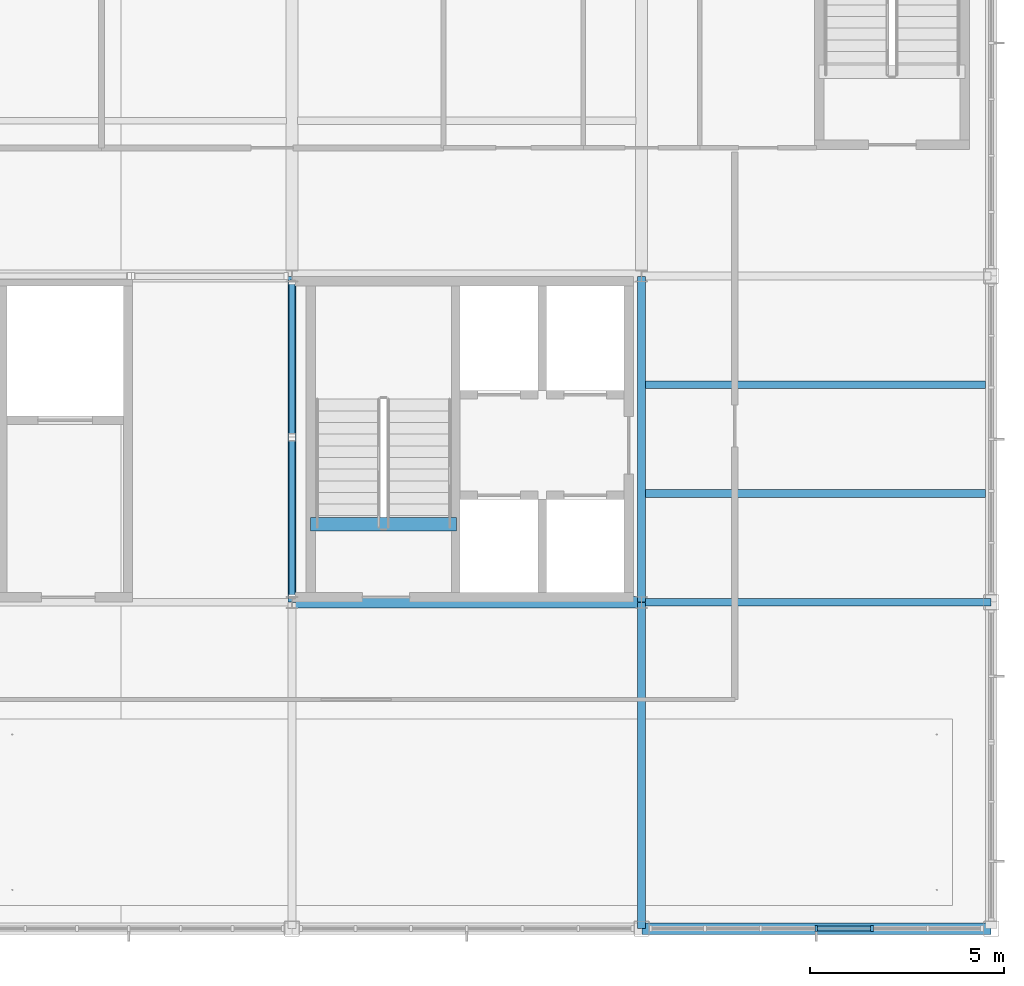
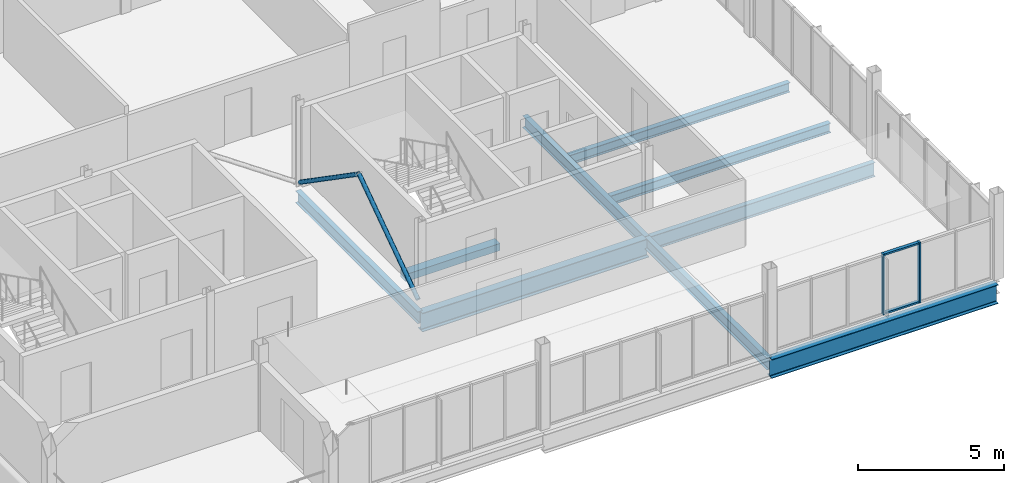
# One storey, part 5 of 17: 9 beams, 6 members, 1 element without a shape of its own.
"""IFC4 building model written with IfcOpenShell, lengths in metres."""

import ifcopenshell
import ifcopenshell.guid

model = None  # the IFC model being written
_history = None  # IfcOwnerHistory: only IFC2X3 demands one
_inside = {}  # id of a spatial element -> (the spatial element, [elements in it])
_under = {}  # id of a project, library or spatial element -> (it, [spatial elements below it])
_declared = {}  # id of a project -> (the project, [libraries it declares])
_typed = {}  # id of a type object -> (the type object, [elements of that type])
_made_of = {}  # id of a material, layer set ... -> (it, [elements and type objects made of it])


def new_model(schema):
    """Start an empty IFC model of exactly this schema.

    Asked for "IFC4X3", IfcOpenShell would pick the latest addendum, in which some entities
    have other attributes; the version numbers below select the first issue.
    IFC2X3 requires an IfcOwnerHistory on every rooted entity: one is made here for all.
    """
    global model, _history
    if schema == "IFC4X3":
        model = ifcopenshell.file(schema_version=(4, 3, 0, 0))
    else:
        model = ifcopenshell.file(schema=schema)
    _inside.clear()
    _under.clear()
    _declared.clear()
    _typed.clear()
    _made_of.clear()
    _history = None
    if model.schema == "IFC2X3":
        org = make("IfcOrganization", Name="unknown")
        user = make(
            "IfcPersonAndOrganization",
            ThePerson=make("IfcPerson", FamilyName="unknown"),
            TheOrganization=org,
        )
        app = make(
            "IfcApplication",
            ApplicationDeveloper=org,
            Version="unknown",
            ApplicationFullName="unknown",
            ApplicationIdentifier="unknown",
        )
        _history = make(
            "IfcOwnerHistory",
            OwningUser=user,
            OwningApplication=app,
            ChangeAction="ADDED",
            CreationDate=0,
        )
    return model


def make(cls, **values):
    """One entity of the class cls with the attributes given. An attribute that is None is left unset."""
    return model.create_entity(
        cls, **{name: value for name, value in values.items() if value is not None}
    )


def rooted(cls, **values):
    """An entity with a GlobalId (a new one), such as an element, a storey or a relation."""
    return make(cls, GlobalId=ifcopenshell.guid.new(), OwnerHistory=_history, **values)


def si_unit(unit_type, name, prefix=None):
    """IfcSIUnit, for example si_unit("LENGTHUNIT", "METRE", prefix="MILLI")."""
    return make("IfcSIUnit", UnitType=unit_type, Prefix=prefix, Name=name)


def assignment(units):
    """IfcUnitAssignment: the units of a project."""
    return None if units is None else make("IfcUnitAssignment", Units=units)


def point(xyz):
    """IfcCartesianPoint."""
    return None if xyz is None else make("IfcCartesianPoint", Coordinates=xyz)


def direction(xyz):
    """IfcDirection."""
    return None if xyz is None else make("IfcDirection", DirectionRatios=xyz)


def frame(location, z_axis=None, x_axis=None):
    """IfcAxis2Placement3D, a coordinate frame: its origin and axes. An axis left out is left unset."""
    return make(
        "IfcAxis2Placement3D",
        Location=point(location),
        Axis=direction(z_axis),
        RefDirection=direction(x_axis),
    )


def frame_2d(location, x_axis=None):
    """IfcAxis2Placement2D, a coordinate frame in the plane: its origin and x axis."""
    return make(
        "IfcAxis2Placement2D", Location=point(location), RefDirection=direction(x_axis)
    )


def origin():
    """The frame at (0, 0, 0) with its axes left unset."""
    return frame((0.0, 0.0, 0.0))


def origin_2d():
    """The frame at (0, 0) in the plane with its x axis left unset."""
    return frame_2d((0.0, 0.0))


def place(relative_to, where):
    """IfcLocalPlacement: puts the frame where relative to a parent placement (None: the world)."""
    return make(
        "IfcLocalPlacement", PlacementRelTo=relative_to, RelativePlacement=where
    )


def context(
    kind, dimensions, precision=None, world=None, true_north=None, identifier=None
):
    """IfcGeometricRepresentationContext, for example the 3D "Model" context."""
    return make(
        "IfcGeometricRepresentationContext",
        ContextIdentifier=identifier,
        ContextType=kind,
        CoordinateSpaceDimension=dimensions,
        Precision=precision,
        WorldCoordinateSystem=world,
        TrueNorth=true_north,
    )


def subcontext(parent, identifier, kind, view, scale=None):
    """IfcGeometricRepresentationSubContext, for example "Body" below "Model"."""
    return make(
        "IfcGeometricRepresentationSubContext",
        ContextIdentifier=identifier,
        ContextType=kind,
        ParentContext=parent,
        TargetScale=scale,
        TargetView=view,
    )


def project(units=None, contexts=None):
    """IfcProject with its units and contexts."""
    return rooted(
        "IfcProject",
        Name="project",
        RepresentationContexts=contexts,
        UnitsInContext=assignment(units),
    )


def spatial(cls, under=None, at=None, **own):
    """A site, building, storey or space (cls), placed at a placement, below another one or the project."""
    s = rooted(cls, ObjectPlacement=at, **own)
    if under is not None:
        _under.setdefault(under.id(), (under, []))[1].append(s)
    return s


def profile(cls, at=None, kind="AREA", **sizes):
    """A parametric profile (cls). Its sizes go by their IFC names, for example OverallWidth=200.0."""
    return make(cls, ProfileType=kind, Position=at, **sizes)


def rectangle(**sizes):
    """IfcRectangleProfileDef."""
    return profile("IfcRectangleProfileDef", **sizes)


def hollow_circle(**sizes):
    """IfcCircleHollowProfileDef."""
    return profile("IfcCircleHollowProfileDef", **sizes)


def i_section(**sizes):
    """IfcIShapeProfileDef."""
    return profile("IfcIShapeProfileDef", **sizes)


def extrude(swept, where, along, depth):
    """IfcExtrudedAreaSolid: the profile swept, set in the frame where, extruded along a direction by depth."""
    return make(
        "IfcExtrudedAreaSolid",
        SweptArea=swept,
        Position=where,
        ExtrudedDirection=direction(along),
        Depth=depth,
    )


def shape(context_of_items, identifier, shape_type, items):
    """IfcShapeRepresentation: the items that make up one representation, for example the "Body"."""
    return make(
        "IfcShapeRepresentation",
        ContextOfItems=context_of_items,
        RepresentationIdentifier=identifier,
        RepresentationType=shape_type,
        Items=items,
    )


def material(Name=None, Category=None):
    """IfcMaterial."""
    return make("IfcMaterial", Name=Name, Category=Category)


def layer(
    of_material, thickness, ventilated=None, Name=None, Category=None, Priority=None
):
    """IfcMaterialLayer: one layer of a wall or slab, of a material (None: an air gap)."""
    return make(
        "IfcMaterialLayer",
        Material=of_material,
        LayerThickness=thickness,
        IsVentilated=ventilated,
        Name=Name,
        Category=Category,
        Priority=Priority,
    )


def layer_set(layers, Name=None):
    """IfcMaterialLayerSet."""
    return make("IfcMaterialLayerSet", MaterialLayers=layers, LayerSetName=Name)


def material_profile(
    of_material, cross_section, Name=None, Category=None, Priority=None
):
    """IfcMaterialProfile: a cross section and its material."""
    return make(
        "IfcMaterialProfile",
        Name=Name,
        Material=of_material,
        Profile=cross_section,
        Priority=Priority,
        Category=Category,
    )


def profile_set(profiles, Name=None, composite=None):
    """IfcMaterialProfileSet."""
    return make(
        "IfcMaterialProfileSet",
        Name=Name,
        MaterialProfiles=profiles,
        CompositeProfile=composite,
    )


def made_of(thing, what):
    """Note that an element or type object is made of a material, layer set ...; save() writes the relation."""
    if what is not None:
        _made_of.setdefault(what.id(), (what, []))[1].append(thing)
    return thing


def type_object(cls, material=None, **own):
    """A type object (cls), such as IfcWallType, which elements share."""
    return made_of(rooted(cls, **own), material)


def element(
    cls,
    number,
    at=None,
    inside=None,
    cuts=None,
    type_object=None,
    material=None,
    context=None,
    identifier="Body",
    shape_type=None,
    held_by="IfcProductDefinitionShape",
    body=None,
    shapes=None,
    **own,
):
    """One element of the class cls, such as IfcWall. Its Tag is "e" and its number.

    at: its placement. inside: the storey or other place that contains it. cuts: it is an
    opening in that element (IfcRelVoidsElement). A single representation is given by context,
    identifier, shape_type and body (its items); several are given by shapes. held_by: the class
    of the entity that holds the representations. save() writes the other relations.
    """
    e = rooted(cls, Tag="e%d" % number, ObjectPlacement=at, **own)
    if body is not None:
        shapes = [shape(context, identifier, shape_type, body)]
    if shapes is not None:
        e.Representation = make(held_by, Representations=shapes)
    if inside is not None:
        _inside.setdefault(inside.id(), (inside, []))[1].append(e)
    if cuts is not None:
        rooted(
            "IfcRelVoidsElement", RelatingBuildingElement=cuts, RelatedOpeningElement=e
        )
    if type_object is not None:
        _typed.setdefault(type_object.id(), (type_object, []))[1].append(e)
    return made_of(e, material)


def aggregate(whole, parts):
    """IfcRelAggregates: a whole, such as a stair, and the parts it consists of."""
    return rooted("IfcRelAggregates", RelatingObject=whole, RelatedObjects=parts)


def save(model, path):
    """Write the relations noted so far, then the file.

    IfcRelAggregates (storeys below a building ...), IfcRelContainedInSpatialStructure (elements
    in a storey), IfcRelDefinesByType, IfcRelAssociatesMaterial and IfcRelDeclares: one each for
    every whole, place, type object, material and project.
    """
    for whole, parts in _under.values():
        aggregate(whole, parts)
    for where, things in _inside.values():
        rooted(
            "IfcRelContainedInSpatialStructure",
            RelatedElements=things,
            RelatingStructure=where,
        )
    for kind, things in _typed.values():
        rooted("IfcRelDefinesByType", RelatedObjects=things, RelatingType=kind)
    for what, things in _made_of.values():
        rooted("IfcRelAssociatesMaterial", RelatedObjects=things, RelatingMaterial=what)
    for by, libraries in _declared.values():
        rooted("IfcRelDeclares", RelatingContext=by, RelatedDefinitions=libraries)
    model.write(path)


model = new_model("IFC4")

# Units and contexts
model_context = context("Model", 3, precision=1e-05, world=origin(), true_north=direction((0.0, 1.0)))
body_context = subcontext(model_context, "Body", "Model", "MODEL_VIEW")
ifc_project = project(units=[si_unit("LENGTHUNIT", "METRE"), si_unit("AREAUNIT", "SQUARE_METRE"), si_unit("VOLUMEUNIT", "CUBIC_METRE"), si_unit("PLANEANGLEUNIT", "RADIAN"), si_unit("MASSUNIT", "GRAM", prefix="KILO")], contexts=[model_context])

# Site, building, storey
site_placement = place(None, origin())
site = spatial("IfcSite", under=ifc_project, at=site_placement, CompositionType="ELEMENT")
building_placement = place(site_placement, origin())
building = spatial("IfcBuilding", under=site, at=building_placement, Name="Yukiwa Park Conservatory and Herbarium", CompositionType="ELEMENT")
storey_placement = place(building_placement, frame((0.0, 0.0, 57.60009765625)))
storey = spatial("IfcBuildingStorey", under=building, at=storey_placement, Name="L15", CompositionType="ELEMENT", Elevation=57.60009765625)

# Beams
ifc_material_1 = material(Name="Steel Q355D", Category="steel")
ifc_material_profile_1 = material_profile(ifc_material_1, i_section(OverallWidth=0.199951171875, OverallDepth=0.5, WebThickness=0.010009765625, FlangeThickness=0.01611328125, FilletRadius=0.02001953125, at=origin_2d()), Name="HN 500x200x10x16")
ifc_profile_set_1 = profile_set([ifc_material_profile_1], Name="Steel Q355D")
beam_type_1 = type_object("IfcBeamType", Name="BM-GRD-HN500", PredefinedType="BEAM", material=ifc_profile_set_1)
beam_1_placement = place(storey_placement, frame((150.0, 94.805908203125, -0.506103515625), z_axis=(0.0, 1.0, 0.0), x_axis=(-1.0, 0.0, 0.0)))
element("IfcBeam", 1, at=beam_1_placement, inside=storey, type_object=beam_type_1, Name="L15 grid girder Y-22", PredefinedType="BEAM", context=body_context, shape_type="SweptSolid", body=[
    extrude(i_section(OverallWidth=0.199951171875, OverallDepth=0.5, WebThickness=0.010009765625, FlangeThickness=0.01611328125, FilletRadius=0.02001953125, at=origin_2d()), origin(), (0.0, 0.0, 1.0), 8.38818359375),
])
beam_2_placement = place(storey_placement, frame((159.0, 86.406005859375, -0.506103515625), z_axis=(0.0, 1.0, 0.0), x_axis=(-1.0, 0.0, 0.0)))
element("IfcBeam", 2, at=beam_2_placement, inside=storey, type_object=beam_type_1, Name="L15 grid girder Y-24", PredefinedType="BEAM", context=body_context, shape_type="SweptSolid", body=[
    extrude(i_section(OverallWidth=0.199951171875, OverallDepth=0.5, WebThickness=0.010009765625, FlangeThickness=0.01611328125, FilletRadius=0.02001953125, at=origin_2d()), origin(), (0.0, 0.0, 1.0), 8.387939453125),
])
beam_3_placement = place(storey_placement, frame((159.0, 94.805908203125, -0.506103515625), z_axis=(0.0, 1.0, 0.0), x_axis=(-1.0, 0.0, 0.0)))
element("IfcBeam", 3, at=beam_3_placement, inside=storey, type_object=beam_type_1, Name="L15 grid girder Y-25", PredefinedType="BEAM", context=body_context, shape_type="SweptSolid", body=[
    extrude(i_section(OverallWidth=0.199951171875, OverallDepth=0.5, WebThickness=0.010009765625, FlangeThickness=0.01611328125, FilletRadius=0.02001953125, at=origin_2d()), origin(), (0.0, 0.0, 1.0), 8.38818359375),
])
ifc_material_2 = material(Name="Steel Q355D", Category="steel")
ifc_material_profile_2 = material_profile(ifc_material_2, i_section(OverallWidth=0.198974609375, OverallDepth=0.595947265625, WebThickness=0.010009765625, FlangeThickness=0.014892578125, FilletRadius=0.02197265625, at=origin_2d()), Name="HN 596x199x10x15")
ifc_profile_set_2 = profile_set([ifc_material_profile_2], Name="Steel Q355D")
beam_type_2 = type_object("IfcBeamType", Name="BM-GRD-HN596", PredefinedType="BEAM", material=ifc_profile_set_2)
beam_4_placement = place(storey_placement, frame((159.006103515625, 94.800048828125, -0.55419921875), z_axis=(1.0, 0.0, 0.0), x_axis=(0.0, 1.0, 0.0)))
element("IfcBeam", 4, at=beam_4_placement, inside=storey, type_object=beam_type_2, Name="L15 grid beam X-9", PredefinedType="BEAM", context=body_context, shape_type="SweptSolid", body=[
    extrude(i_section(OverallWidth=0.198974609375, OverallDepth=0.595947265625, WebThickness=0.010009765625, FlangeThickness=0.014892578125, FilletRadius=0.02197265625, at=origin_2d()), origin(), (0.0, 0.0, 1.0), 8.98779296875),
])
ifc_material_3 = material(Name="Steel Q355D", Category="steel")
ifc_material_profile_3 = material_profile(ifc_material_3, i_section(OverallWidth=0.199951171875, OverallDepth=0.39990234375, WebThickness=0.008056640625, FlangeThickness=0.012939453125, FilletRadius=0.01611328125, at=origin_2d()), Name="HN 400x200x8x13")
ifc_profile_set_3 = profile_set([ifc_material_profile_3], Name="Steel Q355D")
beam_type_3 = type_object("IfcBeamType", Name="BM-JST-HN400", PredefinedType="JOIST", material=ifc_profile_set_3)
for number, where, z_axis, x_axis, name in (
    (5, (159.095947265625, 97.60009765625, -0.4560546875), (1.0, 0.0, 0.0), (0.0, 1.0, 0.0), "L15 composite floor joist 7"),
    (6, (159.095947265625, 100.39990234375, -0.4560546875), (1.0, 0.0, 0.0), (0.0, 1.0, 0.0), "L15 composite floor joist 8"),
):
    element("IfcBeam", number, at=place(storey_placement, frame(where, z_axis=z_axis, x_axis=x_axis)), inside=storey, type_object=beam_type_3, Name=name, PredefinedType="JOIST", context=body_context, shape_type="SweptSolid", body=[
        extrude(i_section(OverallWidth=0.199951171875, OverallDepth=0.39990234375, WebThickness=0.008056640625, FlangeThickness=0.012939453125, FilletRadius=0.01611328125, at=origin_2d()), origin(), (0.0, 0.0, 1.0), 8.758056640625),
    ])
ifc_material_4 = material(Name="Steel Q355D", Category="steel")
ifc_material_profile_4 = material_profile(ifc_material_4, i_section(OverallWidth=0.300048828125, OverallDepth=0.7919921875, WebThickness=0.013916015625, FlangeThickness=0.02197265625, FilletRadius=0.028076171875, at=origin_2d()), Name="HN 792x300x14x22")
ifc_profile_set_4 = profile_set([ifc_material_profile_4], Name="Steel Q355D")
beam_type_4 = type_object("IfcBeamType", Name="BM-SPN-HN600", PredefinedType="SPANDREL", material=ifc_profile_set_4)
for number, where, z_axis, x_axis, name in (
    (7, (159.006103515625, 86.39990234375, -0.652099609375), (1.0, 0.0, 0.0), (0.0, 1.0, 0.0), "L15 spandrel beam X-4"),
    (8, (150.006103515625, 94.800048828125, -0.652099609375), (1.0, 0.0, 0.0), (0.0, 1.0, 0.0), "L15 spandrel beam X-8"),
):
    element("IfcBeam", number, at=place(storey_placement, frame(where, z_axis=z_axis, x_axis=x_axis)), inside=storey, type_object=beam_type_4, Name=name, PredefinedType="SPANDREL", context=body_context, shape_type="SweptSolid", body=[
        extrude(i_section(OverallWidth=0.300048828125, OverallDepth=0.7919921875, WebThickness=0.013916015625, FlangeThickness=0.02197265625, FilletRadius=0.028076171875, at=origin_2d()), origin(), (0.0, 0.0, 1.0), 8.98779296875),
    ])
ifc_material_5 = material(Name="Concrete C40", Category="concrete")
ifc_material_profile_5 = material_profile(ifc_material_5, rectangle(XDim=0.35009765625, YDim=0.300048828125, at=origin_2d()), Name="RC 350x300")
ifc_profile_set_5 = profile_set([ifc_material_profile_5], Name="Concrete C40")
beam_type_5 = type_object("IfcBeamType", Name="BM-STAIR-TRIM", PredefinedType="BEAM", material=ifc_profile_set_5)
beam_5_placement = place(storey_placement, frame((150.47998046875, 96.81005859375, -0.150146484375), z_axis=(1.0, 0.0, 0.0), x_axis=(0.0, 1.0, 0.0)))
element("IfcBeam", 9, at=beam_5_placement, inside=storey, type_object=beam_type_5, Name="Stair ST-T2 L15 landing trimmer beam", PredefinedType="BEAM", context=body_context, shape_type="SweptSolid", body=[
    extrude(rectangle(XDim=0.35009765625, YDim=0.300048828125, at=origin_2d()), origin(), (0.0, 0.0, 1.0), 3.75),
])

# Members
ifc_material_6 = material(Name="Steel Q355D", Category="steel")
ifc_material_profile_6 = material_profile(ifc_material_6, hollow_circle(Radius=0.084228515625, WallThickness=0.008056640625, at=origin_2d()), Name="CHS 168.3x8")
ifc_profile_set_6 = profile_set([ifc_material_profile_6], Name="Steel Q355D")
member_type_1 = type_object("IfcMemberType", Name="MB-BR-CHS168", PredefinedType="BRACE", material=ifc_profile_set_6)
for number, where, z_axis, x_axis, name in (
    (10, (150.0, 94.9453125, 0.150146484375), (0.0, 0.82242031156, 0.568880331118), (-1.0, 0.0, 0.0), "L15 concentric chevron brace 75"),
    (11, (150.0, 103.0546875, 0.150146484375), (0.0, -0.82242031156, 0.568880331118), (1.0, 0.0, 0.0), "L15 concentric chevron brace 76"),
):
    element("IfcMember", number, at=place(storey_placement, frame(where, z_axis=z_axis, x_axis=x_axis)), inside=storey, type_object=member_type_1, Name=name, PredefinedType="BRACE", context=body_context, shape_type="SweptSolid", body=[
        extrude(hollow_circle(Radius=0.084228515625, WallThickness=0.008056640625, at=origin_2d()), origin(), (0.0, 0.0, 1.0), 4.93017578125),
    ])

# Curtain wall, members
ifc_material_7 = material(Name="Triple Low-E Insulated Glass", Category="glass")
ifc_layer = layer(ifc_material_7, 0.2119140625)
ifc_layer_set = layer_set([ifc_layer], Name="Triple Low-E Insulated Glass")
curtain_wall_type = type_object("IfcCurtainWallType", Name="CW-TOWER-SKY-1400", PredefinedType="NOTDEFINED", material=ifc_layer_set)
curtain_wall_placement = place(storey_placement, origin())
curtain_wall = element("IfcCurtainWall", 12, at=curtain_wall_placement, inside=storey, type_object=curtain_wall_type, Name="L15 unitised curtain wall CW-L15-147", PredefinedType="NOTDEFINED")
ifc_material_8 = material(Name="Anodised Aluminium", Category="aluminium")
member_type_2 = type_object("IfcMemberType", Name="MB-CW-MUL-70X150", PredefinedType="MULLION", material=ifc_material_8)
member_1_placement = place(storey_placement, frame((163.5, 86.39990234375, -0.000244140625), z_axis=(0.0, 0.0, 1.0), x_axis=(1.0, 0.0, 0.0)))
member_1 = element("IfcMember", 13, at=member_1_placement, type_object=member_type_2, Name="CW-L15-147 mullion 4", PredefinedType="MULLION", context=body_context, shape_type="SweptSolid", body=[
    extrude(rectangle(XDim=0.070068359375, YDim=0.14990234375, at=origin_2d()), origin(), (0.0, 0.0, 1.0), 2.5380859375),
])
member_2_placement = place(storey_placement, frame((164.933349609375, 86.39990234375, -0.000244140625), z_axis=(0.0, 0.0, 1.0), x_axis=(1.0, 0.0, 0.0)))
member_2 = element("IfcMember", 14, at=member_2_placement, type_object=member_type_2, Name="CW-L15-147 mullion 5", PredefinedType="MULLION", context=body_context, shape_type="SweptSolid", body=[
    extrude(rectangle(XDim=0.070068359375, YDim=0.14990234375, at=origin_2d()), origin(), (0.0, 0.0, 1.0), 2.5380859375),
])
ifc_material_9 = material(Name="Anodised Aluminium", Category="aluminium")
member_type_3 = type_object("IfcMemberType", Name="MB-CW-TRN-70X130", PredefinedType="USERDEFINED", material=ifc_material_9)
member_3_placement = place(storey_placement, frame((164.216796875, 86.39990234375, 0.0), z_axis=(0.0, 0.0, 1.0), x_axis=(1.0, 0.0, 0.0)))
member_3 = element("IfcMember", 15, at=member_3_placement, type_object=member_type_3, Name="CW-L15-147 transom 4.1", ObjectType="TRANSOM", PredefinedType="USERDEFINED", context=body_context, shape_type="SweptSolid", body=[
    extrude(rectangle(XDim=1.36328125, YDim=0.1298828125, at=origin_2d()), origin(), (0.0, 0.0, 1.0), 0.070068359375),
])
member_4_placement = place(storey_placement, frame((164.216796875, 86.39990234375, 2.4677734375), z_axis=(0.0, 0.0, 1.0), x_axis=(1.0, 0.0, 0.0)))
member_4 = element("IfcMember", 16, at=member_4_placement, type_object=member_type_3, Name="CW-L15-147 transom 4.2", ObjectType="TRANSOM", PredefinedType="USERDEFINED", context=body_context, shape_type="SweptSolid", body=[
    extrude(rectangle(XDim=1.36328125, YDim=0.1298828125, at=origin_2d()), origin(), (0.0, 0.0, 1.0), 0.070068359375),
])
aggregate(curtain_wall, [member_1, member_2, member_3, member_4])

save(model, "model.ifc")
